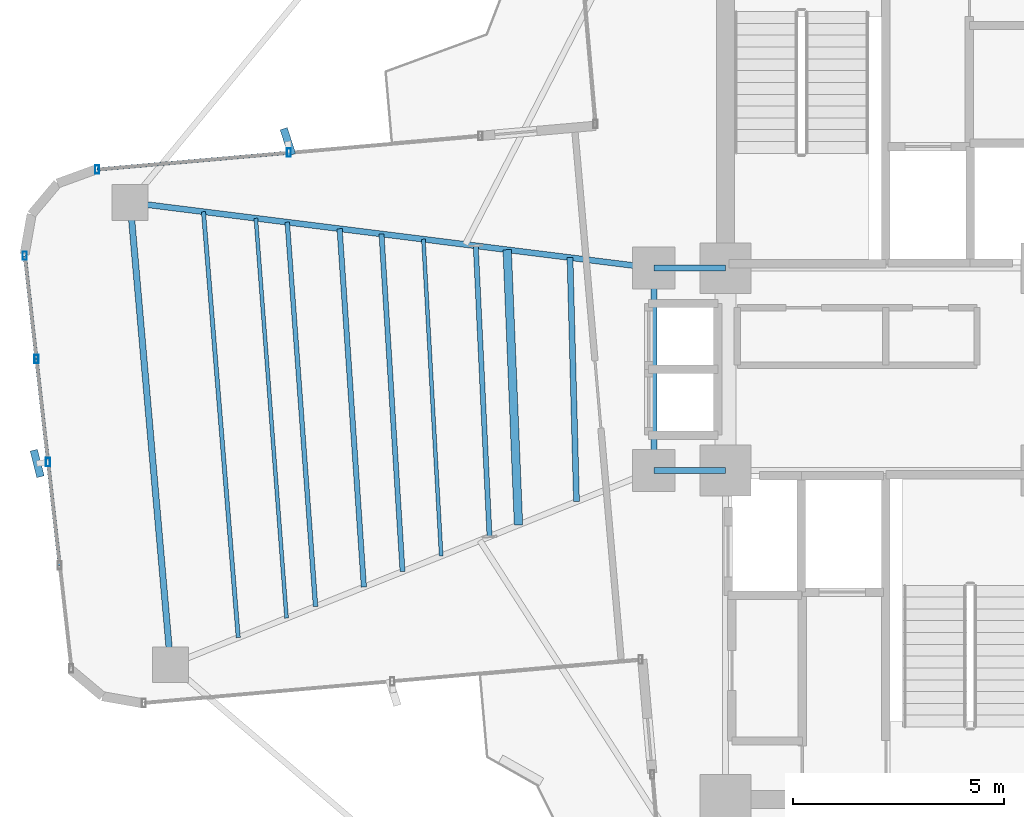
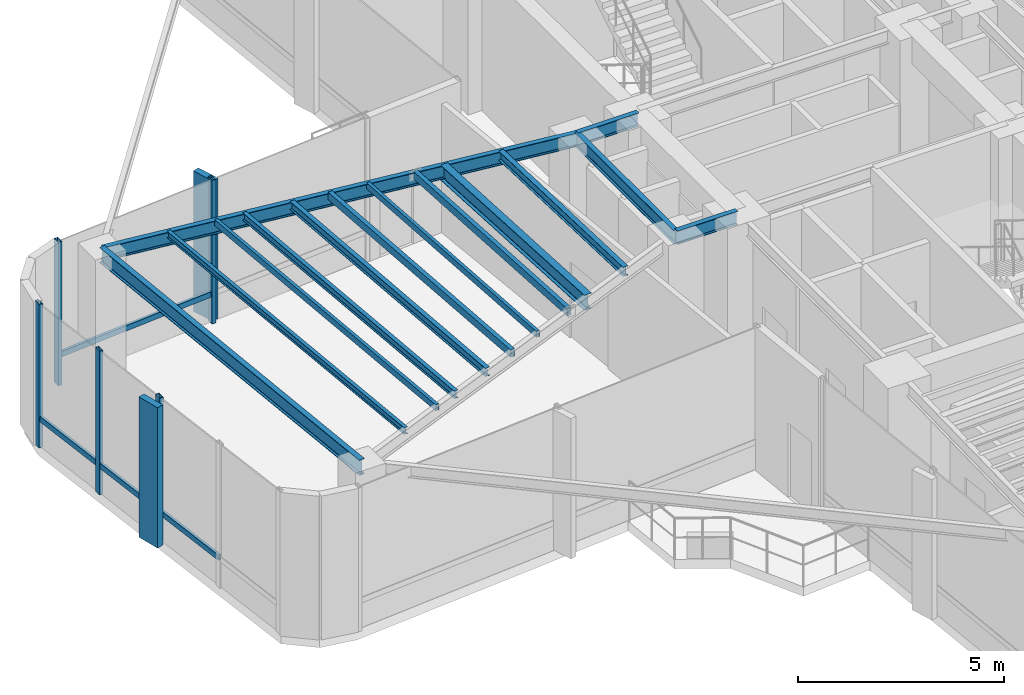
# One storey, part 4 of 19: 14 beams, 11 members, 2 elements without a shape of their own.
"""IFC4 building model written with IfcOpenShell, lengths in metres."""

from ifc_helpers import new_model, si_unit, direction, frame, origin, origin_2d, place, context, subcontext, project, spatial, rectangle, hollow_rectangle, i_section, extrude, source, transform, mapped, material, material_profile, profile_set, type_object, element, aggregate, save


model = new_model("IFC4")

# Units and contexts
model_context = context("Model", 3, precision=1e-05, world=origin(), true_north=direction((0.0, 1.0)))
body_context = subcontext(model_context, "Body", "Model", "MODEL_VIEW")
ifc_project = project(units=[si_unit("LENGTHUNIT", "METRE"), si_unit("AREAUNIT", "SQUARE_METRE"), si_unit("VOLUMEUNIT", "CUBIC_METRE"), si_unit("PLANEANGLEUNIT", "RADIAN"), si_unit("MASSUNIT", "GRAM", prefix="KILO")], contexts=[model_context])

# Site, building, storey
site_placement = place(None, origin())
site = spatial("IfcSite", under=ifc_project, at=site_placement, CompositionType="ELEMENT")
building_placement = place(site_placement, origin())
building = spatial("IfcBuilding", under=site, at=building_placement, Name="Sahyath Konkavel Grand Hotel", CompositionType="ELEMENT")
storey_placement = place(building_placement, frame((0.0, 0.0, 170.699951171875)))
storey = spatial("IfcBuildingStorey", under=building, at=storey_placement, Name="L47", CompositionType="ELEMENT", Elevation=170.699951171875)

# Beams
ifc_material_1 = material(Name="Steel E350", Category="steel")
ifc_material_profile_1 = material_profile(ifc_material_1, i_section(OverallWidth=0.139892578125, OverallDepth=0.39990234375, WebThickness=0.0087890625, FlangeThickness=0.01611328125, FilletRadius=0.013916015625, at=origin_2d()), Name="ISMB 400")
ifc_profile_set_1 = profile_set([ifc_material_profile_1], Name="Steel E350")
beam_type_1 = type_object("IfcBeamType", Name="BM-ISMB400", PredefinedType="BEAM", material=ifc_profile_set_1)
shared_shape_1 = source(origin(), body_context, "Body", "SweptSolid", [
    extrude(i_section(OverallWidth=0.139892578125, OverallDepth=0.39990234375, WebThickness=0.0087890625, FlangeThickness=0.01611328125, FilletRadius=0.013916015625, at=origin_2d()), origin(), (0.0, 0.0, 1.0), 1.699951171875),
])
for number, where, z_axis, x_axis, name in (
    (1, (-5.5, 2.39990234375, 4.06005859375), (1.0, 0.0, 0.0), (0.0, 1.0, 0.0), "str:bm:L47:HB-NW"),
    (2, (-5.5, -2.39990234375, 4.06005859375), (1.0, 0.0, 0.0), (0.0, 1.0, 0.0), "str:bm:L47:HB-SW"),
):
    element("IfcBeam", number, at=place(storey_placement, frame(where, z_axis=z_axis, x_axis=x_axis)), inside=storey, type_object=beam_type_1, Name=name, PredefinedType="BEAM", context=body_context, shape_type="MappedRepresentation", body=[
        mapped(shared_shape_1, transform((0.0, 0.0, 0.0), scale=1.0)),
    ])
shared_shape_2 = source(origin(), body_context, "Body", "SweptSolid", [
    extrude(i_section(OverallWidth=0.139892578125, OverallDepth=0.39990234375, WebThickness=0.0087890625, FlangeThickness=0.01611328125, FilletRadius=0.013916015625, at=origin_2d()), origin(), (0.0, 0.0, 1.0), 4.7998046875),
])
beam_1_placement = place(storey_placement, frame((-5.5, -2.39990234375, 4.06005859375), z_axis=(0.0, 1.0, 0.0), x_axis=(-1.0, 0.0, 0.0)))
element("IfcBeam", 3, at=beam_1_placement, inside=storey, type_object=beam_type_1, Name="str:bm:L47:HB-W", PredefinedType="BEAM", context=body_context, shape_type="MappedRepresentation", body=[
    mapped(shared_shape_2, transform((0.0, 0.0, 0.0), scale=1.0)),
])
shared_shape_3 = source(origin(), body_context, "Body", "SweptSolid", [
    extrude(i_section(OverallWidth=0.139892578125, OverallDepth=0.39990234375, WebThickness=0.0087890625, FlangeThickness=0.01611328125, FilletRadius=0.013916015625, at=origin_2d()), origin(), (0.0, 0.0, 1.0), 12.509765625),
])
beam_2_placement = place(storey_placement, frame((-5.5, 2.39990234375, 4.06005859375), z_axis=(-0.992254740459, 0.124219684578, 0.0), x_axis=(-0.124219684578, -0.992254740459, 0.0)))
element("IfcBeam", 4, at=beam_2_placement, inside=storey, type_object=beam_type_1, Name="L47 Cruciform Radial Girder WA", PredefinedType="BEAM", context=body_context, shape_type="MappedRepresentation", body=[
    mapped(shared_shape_3, transform((0.0, 0.0, 0.0), scale=1.0)),
])
ifc_material_profile_2 = material_profile(ifc_material_1, i_section(OverallWidth=0.14990234375, OverallDepth=0.449951171875, WebThickness=0.009521484375, FlangeThickness=0.017333984375, FilletRadius=0.014892578125, at=origin_2d()), Name="ISMB 450")
ifc_profile_set_2 = profile_set([ifc_material_profile_2], Name="Steel E350")
beam_type_2 = type_object("IfcBeamType", Name="BM-ISMB450", PredefinedType="BEAM", material=ifc_profile_set_2)
shared_shape_4 = source(origin(), body_context, "Body", "SweptSolid", [
    extrude(i_section(OverallWidth=0.14990234375, OverallDepth=0.449951171875, WebThickness=0.009521484375, FlangeThickness=0.017333984375, FilletRadius=0.014892578125, at=origin_2d()), origin(), (0.0, 0.0, 1.0), 11.0),
])
beam_3_placement = place(storey_placement, frame((-17.912841796875, 3.953857421875, 4.03515625), z_axis=(0.087157314015, -0.996194560622, 0.0), x_axis=(0.996194560622, 0.087157314015, 0.0)))
element("IfcBeam", 5, at=beam_3_placement, inside=storey, type_object=beam_type_2, Name="L47 Wing Tip Edge Beam W", PredefinedType="BEAM", context=body_context, shape_type="MappedRepresentation", body=[
    mapped(shared_shape_4, transform((0.0, 0.0, 0.0), scale=1.0)),
])
ifc_material_profile_3 = material_profile(ifc_material_1, i_section(OverallWidth=0.199951171875, OverallDepth=0.449951171875, WebThickness=0.00927734375, FlangeThickness=0.015380859375, FilletRadius=0.01611328125, at=origin_2d()), Name="ISWB 450")
ifc_profile_set_3 = profile_set([ifc_material_profile_3], Name="Steel E350")
beam_type_3 = type_object("IfcBeamType", Name="BM-ISWB450", PredefinedType="BEAM", material=ifc_profile_set_3)
shared_shape_5 = source(origin(), body_context, "Body", "SweptSolid", [
    extrude(i_section(OverallWidth=0.199951171875, OverallDepth=0.449951171875, WebThickness=0.00927734375, FlangeThickness=0.015380859375, FilletRadius=0.01611328125, at=origin_2d()), origin(), (0.0, 0.0, 1.0), 6.530029296875),
])
beam_4_placement = place(storey_placement, frame((-8.9755859375, 2.835205078125, 4.03515625), z_axis=(0.04112667768, -0.999153940283, 0.0), x_axis=(0.999153940283, 0.04112667768, 0.0)))
element("IfcBeam", 6, at=beam_4_placement, inside=storey, type_object=beam_type_3, Name="L47 Secondary Floor Beam W-1", PredefinedType="BEAM", context=body_context, shape_type="MappedRepresentation", body=[
    mapped(shared_shape_5, transform((0.0, 0.0, 0.0), scale=1.0)),
])
ifc_material_profile_4 = material_profile(ifc_material_1, hollow_rectangle(XDim=0.1201171875, YDim=0.219970703125, WallThickness=0.010009765625, at=origin_2d()), Name="RHS 220x120x10")
ifc_profile_set_4 = profile_set([ifc_material_profile_4], Name="Steel E350")
beam_type_4 = type_object("IfcBeamType", Name="BM-RHS220", PredefinedType="BEAM", material=ifc_profile_set_4)
shared_shape_6 = source(origin(), body_context, "Body", "SweptSolid", [
    extrude(hollow_rectangle(XDim=0.1201171875, YDim=0.219970703125, WallThickness=0.010009765625, at=origin_2d()), origin(), (0.0, 0.0, 1.0), 8.017822265625),
])
beam_5_placement = place(storey_placement, frame((-11.95458984375, 3.2080078125, 4.150146484375), z_axis=(0.062179233264, -0.998064999362, 0.0), x_axis=(0.998064999362, 0.062179233264, 0.0)))
element("IfcBeam", 7, at=beam_5_placement, inside=storey, type_object=beam_type_4, Name="L47 Secondary Floor Beam W-2", PredefinedType="BEAM", context=body_context, shape_type="MappedRepresentation", body=[
    mapped(shared_shape_6, transform((0.0, 0.0, 0.0), scale=1.0)),
])
ifc_material_profile_5 = material_profile(ifc_material_1, hollow_rectangle(XDim=0.090087890625, YDim=0.179931640625, WallThickness=0.008056640625, at=origin_2d()), Name="RHS 180x90x8")
ifc_profile_set_5 = profile_set([ifc_material_profile_5], Name="Steel E350")
beam_type_5 = type_object("IfcBeamType", Name="BM-RHS180", PredefinedType="BEAM", material=ifc_profile_set_5)
shared_shape_7 = source(origin(), body_context, "Body", "SweptSolid", [
    extrude(hollow_rectangle(XDim=0.090087890625, YDim=0.179931640625, WallThickness=0.008056640625, at=origin_2d()), origin(), (0.0, 0.0, 1.0), 9.508056640625),
])
beam_6_placement = place(storey_placement, frame((-14.93359375, 3.580810546875, 4.170166015625), z_axis=(0.076619921029, -0.997060373148, 0.0), x_axis=(0.997060373148, 0.076619921029, 0.0)))
element("IfcBeam", 8, at=beam_6_placement, inside=storey, type_object=beam_type_5, Name="L47 Secondary Floor Beam W-3", PredefinedType="BEAM", context=body_context, shape_type="MappedRepresentation", body=[
    mapped(shared_shape_7, transform((0.0, 0.0, 0.0), scale=1.0)),
])
ifc_material_profile_6 = material_profile(ifc_material_1, i_section(OverallWidth=0.139892578125, OverallDepth=0.27490234375, WebThickness=0.00634765625, FlangeThickness=0.0087890625, FilletRadius=0.012939453125, at=origin_2d()), Name="ISLB 275")
ifc_profile_set_6 = profile_set([ifc_material_profile_6], Name="Steel E350")
beam_type_6 = type_object("IfcBeamType", Name="BM-ISLB275", PredefinedType="BEAM", material=ifc_profile_set_6)
shared_shape_8 = source(origin(), body_context, "Body", "SweptSolid", [
    extrude(i_section(OverallWidth=0.139892578125, OverallDepth=0.27490234375, WebThickness=0.00634765625, FlangeThickness=0.0087890625, FilletRadius=0.012939453125, at=origin_2d()), origin(), (0.0, 0.0, 1.0), 5.787353515625),
])
beam_7_placement = place(storey_placement, frame((-7.486083984375, 2.648681640625, 4.12255859375), z_axis=(0.026491943658, -0.99964902687, 0.0), x_axis=(0.99964902687, 0.026491943658, 0.0)))
element("IfcBeam", 9, at=beam_7_placement, inside=storey, type_object=beam_type_6, Name="L47 Composite Deck Sub-Beam W-1", PredefinedType="BEAM", context=body_context, shape_type="MappedRepresentation", body=[
    mapped(shared_shape_8, transform((0.0, 0.0, 0.0), scale=1.0)),
])
shared_shape_9 = source(origin(), body_context, "Body", "SweptSolid", [
    extrude(hollow_rectangle(XDim=0.1201171875, YDim=0.219970703125, WallThickness=0.010009765625, at=origin_2d()), origin(), (0.0, 0.0, 1.0), 6.901611328125),
])
beam_8_placement = place(storey_placement, frame((-9.720458984375, 2.92822265625, 4.150146484375), z_axis=(0.047260938611, -0.998882577524, 0.0), x_axis=(0.998882577524, 0.047260938611, 0.0)))
element("IfcBeam", 10, at=beam_8_placement, inside=storey, type_object=beam_type_4, Name="L47 Composite Deck Sub-Beam W-2", PredefinedType="BEAM", context=body_context, shape_type="MappedRepresentation", body=[
    mapped(shared_shape_9, transform((0.0, 0.0, 0.0), scale=1.0)),
])
shared_shape_10 = source(origin(), body_context, "Body", "SweptSolid", [
    extrude(hollow_rectangle(XDim=0.090087890625, YDim=0.179931640625, WallThickness=0.008056640625, at=origin_2d()), origin(), (0.0, 0.0, 1.0), 7.521484375),
])
beam_9_placement = place(storey_placement, frame((-10.961669921875, 3.083740234375, 4.170166015625), z_axis=(0.056090237508, -0.998425703423, 0.0), x_axis=(0.998425703423, 0.056090237508, 0.0)))
element("IfcBeam", 11, at=beam_9_placement, inside=storey, type_object=beam_type_5, Name="L47 Composite Deck Sub-Beam W-3", PredefinedType="BEAM", context=body_context, shape_type="MappedRepresentation", body=[
    mapped(shared_shape_10, transform((0.0, 0.0, 0.0), scale=1.0)),
])
ifc_material_profile_7 = material_profile(ifc_material_1, i_section(OverallWidth=0.125, OverallDepth=0.25, WebThickness=0.0068359375, FlangeThickness=0.012451171875, FilletRadius=0.012939453125, at=origin_2d()), Name="ISMB 250")
ifc_profile_set_7 = profile_set([ifc_material_profile_7], Name="Steel E350")
beam_type_7 = type_object("IfcBeamType", Name="BM-ISMB250", PredefinedType="BEAM", material=ifc_profile_set_7)
shared_shape_11 = source(origin(), body_context, "Body", "SweptSolid", [
    extrude(i_section(OverallWidth=0.125, OverallDepth=0.25, WebThickness=0.0068359375, FlangeThickness=0.012451171875, FilletRadius=0.012939453125, at=origin_2d()), origin(), (0.0, 0.0, 1.0), 8.514404296875),
])
beam_10_placement = place(storey_placement, frame((-12.94775390625, 3.332275390625, 4.135009765625), z_axis=(0.067556190537, -0.997715471024, 0.0), x_axis=(0.997715471024, 0.067556190537, 0.0)))
element("IfcBeam", 12, at=beam_10_placement, inside=storey, type_object=beam_type_7, Name="L47 Composite Deck Sub-Beam W-4", PredefinedType="BEAM", context=body_context, shape_type="MappedRepresentation", body=[
    mapped(shared_shape_11, transform((0.0, 0.0, 0.0), scale=1.0)),
])
ifc_material_profile_8 = material_profile(ifc_material_1, i_section(OverallWidth=0.110107421875, OverallDepth=0.22509765625, WebThickness=0.006591796875, FlangeThickness=0.01171875, FilletRadius=0.011962890625, at=origin_2d()), Name="ISMB 225")
ifc_profile_set_8 = profile_set([ifc_material_profile_8], Name="Steel E350")
beam_type_8 = type_object("IfcBeamType", Name="BM-ISMB225", PredefinedType="BEAM", material=ifc_profile_set_8)
shared_shape_12 = source(origin(), body_context, "Body", "SweptSolid", [
    extrude(i_section(OverallWidth=0.110107421875, OverallDepth=0.22509765625, WebThickness=0.006591796875, FlangeThickness=0.01171875, FilletRadius=0.011962890625, at=origin_2d()), origin(), (0.0, 0.0, 1.0), 9.135498046875),
])
beam_11_placement = place(storey_placement, frame((-14.18896484375, 3.48779296875, 4.1474609375), z_axis=(0.073465127158, -0.997297786567, 0.0), x_axis=(0.997297786567, 0.073465127158, 0.0)))
element("IfcBeam", 13, at=beam_11_placement, inside=storey, type_object=beam_type_8, Name="L47 Composite Deck Sub-Beam W-5", PredefinedType="BEAM", context=body_context, shape_type="MappedRepresentation", body=[
    mapped(shared_shape_12, transform((0.0, 0.0, 0.0), scale=1.0)),
])
ifc_material_profile_9 = material_profile(ifc_material_1, i_section(OverallWidth=0.10009765625, OverallDepth=0.199951171875, WebThickness=0.005615234375, FlangeThickness=0.0107421875, FilletRadius=0.010986328125, at=origin_2d()), Name="ISMB 200")
ifc_profile_set_9 = profile_set([ifc_material_profile_9], Name="Steel E350")
beam_type_9 = type_object("IfcBeamType", Name="BM-ISMB200", PredefinedType="BEAM", material=ifc_profile_set_9)
shared_shape_13 = source(origin(), body_context, "Body", "SweptSolid", [
    extrude(i_section(OverallWidth=0.10009765625, OverallDepth=0.199951171875, WebThickness=0.005615234375, FlangeThickness=0.0107421875, FilletRadius=0.010986328125, at=origin_2d()), origin(), (0.0, 0.0, 1.0), 10.129638671875),
])
beam_12_placement = place(storey_placement, frame((-16.175048828125, 3.736328125, 4.16015625), z_axis=(0.081391815092, -0.996682182261, 0.0), x_axis=(0.996682182261, 0.081391815092, 0.0)))
element("IfcBeam", 14, at=beam_12_placement, inside=storey, type_object=beam_type_9, Name="L47 Composite Deck Sub-Beam W-6", PredefinedType="BEAM", context=body_context, shape_type="MappedRepresentation", body=[
    mapped(shared_shape_13, transform((0.0, 0.0, 0.0), scale=1.0)),
])

# Curtain wall, members
ifc_material_2 = material(Name="Anodised Bronze Aluminium & Low-E Glazing", Category="aluminium")
curtain_wall_type = type_object("IfcCurtainWallType", Name="CW-SKYLOBBY", PredefinedType="NOTDEFINED", material=ifc_material_2)
curtain_wall_1_placement = place(storey_placement, origin())
curtain_wall_1 = element("IfcCurtainWall", 15, at=curtain_wall_1_placement, inside=storey, type_object=curtain_wall_type, Name="L47 Unitised Curtain Wall F16", PredefinedType="NOTDEFINED")
ifc_material_3 = material(Name="Anodised Bronze Aluminium", Category="aluminium")
ifc_material_profile_10 = material_profile(ifc_material_3, hollow_rectangle(XDim=0.10009765625, YDim=0.199951171875, WallThickness=0.008056640625, at=origin_2d()), Name="RHS 200x100x8")
ifc_profile_set_10 = profile_set([ifc_material_profile_10], Name="Anodised Bronze Aluminium")
member_type_1 = type_object("IfcMemberType", Name="CW-MUL-200", PredefinedType="MULLION", material=ifc_profile_set_10)
shared_shape_14 = source(origin(), body_context, "Body", "SweptSolid", [
    extrude(hollow_rectangle(XDim=0.10009765625, YDim=0.199951171875, WallThickness=0.008056640625, at=origin_2d()), origin(), (0.0, 0.0, 1.0), 4.260009765625),
])
member_1_placement = place(storey_placement, frame((-14.151611328125, 5.135986328125, 0.0), z_axis=(0.0, 0.0, 1.0), x_axis=(1.0, 0.0, 0.0)))
member_1 = element("IfcMember", 16, at=member_1_placement, type_object=member_type_1, Name="L47 Curtain Wall Mullion F16-1", PredefinedType="MULLION", context=body_context, shape_type="MappedRepresentation", body=[
    mapped(shared_shape_14, transform((0.0, 0.0, 0.0), scale=1.0)),
])
member_2_placement = place(storey_placement, frame((-18.694091796875, 4.73876953125, 0.0), z_axis=(0.0, 0.0, 1.0), x_axis=(1.0, 0.0, 0.0)))
member_2 = element("IfcMember", 17, at=member_2_placement, type_object=member_type_1, Name="L47 Curtain Wall Mullion F16-2", PredefinedType="MULLION", context=body_context, shape_type="MappedRepresentation", body=[
    mapped(shared_shape_14, transform((0.0, 0.0, 0.0), scale=1.0)),
])

curtain_wall_2_placement = place(storey_placement, origin())
curtain_wall_2 = element("IfcCurtainWall", 18, at=curtain_wall_2_placement, inside=storey, type_object=curtain_wall_type, Name="L47 Unitised Curtain Wall F20", PredefinedType="NOTDEFINED")
member_3_placement = place(storey_placement, frame((-20.4111328125, 2.69140625, 0.0), z_axis=(0.0, 0.0, 1.0), x_axis=(1.0, 0.0, 0.0)))
member_3 = element("IfcMember", 19, at=member_3_placement, type_object=member_type_1, Name="L47 Curtain Wall Mullion F20-0", PredefinedType="MULLION", context=body_context, shape_type="MappedRepresentation", body=[
    mapped(shared_shape_14, transform((0.0, 0.0, 0.0), scale=1.0)),
])
member_4_placement = place(storey_placement, frame((-20.135498046875, 0.24462890625, 0.0), z_axis=(0.0, 0.0, 1.0), x_axis=(1.0, 0.0, 0.0)))
member_4 = element("IfcMember", 20, at=member_4_placement, type_object=member_type_1, Name="L47 Curtain Wall Mullion F20-1", PredefinedType="MULLION", context=body_context, shape_type="MappedRepresentation", body=[
    mapped(shared_shape_14, transform((0.0, 0.0, 0.0), scale=1.0)),
])
member_5_placement = place(storey_placement, frame((-19.859619140625, -2.201904296875, 0.0), z_axis=(0.0, 0.0, 1.0), x_axis=(1.0, 0.0, 0.0)))
member_5 = element("IfcMember", 21, at=member_5_placement, type_object=member_type_1, Name="L47 Curtain Wall Mullion F20-2", PredefinedType="MULLION", context=body_context, shape_type="MappedRepresentation", body=[
    mapped(shared_shape_14, transform((0.0, 0.0, 0.0), scale=1.0)),
])

# Member
ifc_material_4 = material(Name="Warm Buff Sandstone Cladding on Concrete C50/60", Category="masonry")
ifc_material_profile_11 = material_profile(ifc_material_4, rectangle(XDim=0.179931640625, YDim=0.64990234375, at=origin_2d()), Name="FIN 180x650")
ifc_profile_set_11 = profile_set([ifc_material_profile_11], Name="Warm Buff Sandstone Cladding on Concrete C50/60")
member_type_2 = type_object("IfcMemberType", Name="FIN-SANDSTONE-650", PredefinedType="MULLION", material=ifc_profile_set_11)
shared_shape_15 = source(origin(), body_context, "Body", "SweptSolid", [
    extrude(rectangle(XDim=0.179931640625, YDim=0.64990234375, at=origin_2d()), origin(), (0.0, 0.0, 1.0), 4.159912109375),
])
member_6_placement = place(storey_placement, frame((-14.17431640625, 5.39501953125, 0.050048828125), z_axis=(0.0, 0.0, 1.0), x_axis=(0.951808747363, 0.306692204733, 0.0)))
member_6 = element("IfcMember", 22, at=member_6_placement, type_object=member_type_2, Name="L47 Sandstone Vertical Solar Fin FIN F16-1", PredefinedType="MULLION", context=body_context, shape_type="MappedRepresentation", body=[
    mapped(shared_shape_15, transform((0.0, 0.0, 0.0), scale=1.0)),
])

member_7_placement = place(storey_placement, frame((-20.1181640625, -2.23095703125, 0.050048828125), z_axis=(0.0, 0.0, 1.0), x_axis=(0.969359662404, 0.245645771192, 0.0)))
member_7 = element("IfcMember", 23, at=member_7_placement, type_object=member_type_2, Name="L47 Sandstone Vertical Solar Fin FIN F20-2", PredefinedType="MULLION", context=body_context, shape_type="MappedRepresentation", body=[
    mapped(shared_shape_15, transform((0.0, 0.0, 0.0), scale=1.0)),
])

ifc_material_profile_12 = material_profile(ifc_material_3, hollow_rectangle(XDim=0.080078125, YDim=0.159912109375, WallThickness=0.006103515625, at=origin_2d()), Name="RHS 160x80x6")
ifc_profile_set_12 = profile_set([ifc_material_profile_12], Name="Anodised Bronze Aluminium")
member_type_3 = type_object("IfcMemberType", Name="CW-TRN-160", PredefinedType="USERDEFINED", material=ifc_profile_set_12)
shared_shape_16 = source(origin(), body_context, "Body", "SweptSolid", [
    extrude(hollow_rectangle(XDim=0.080078125, YDim=0.159912109375, WallThickness=0.006103515625, at=origin_2d()), origin(), (0.0, 0.0, 1.0), 4.559814453125),
])
member_8_placement = place(storey_placement, frame((-14.151611328125, 5.135986328125, 0.85009765625), z_axis=(-0.99619848155, -0.087112486804, 0.0), x_axis=(0.087112486804, -0.99619848155, 0.0)))
member_8 = element("IfcMember", 24, at=member_8_placement, type_object=member_type_3, Name="L47 Curtain Wall Transom F16-1-spandrel", ObjectType="TRANSOM", PredefinedType="USERDEFINED", context=body_context, shape_type="MappedRepresentation", body=[
    mapped(shared_shape_16, transform((0.0, 0.0, 0.0), scale=1.0)),
])

aggregate(curtain_wall_1, [member_1, member_6, member_2, member_8])

shared_shape_17 = source(origin(), body_context, "Body", "SweptSolid", [
    extrude(hollow_rectangle(XDim=0.080078125, YDim=0.159912109375, WallThickness=0.006103515625, at=origin_2d()), origin(), (0.0, 0.0, 1.0), 2.462158203125),
])
member_9_placement = place(storey_placement, frame((-20.4111328125, 2.69140625, 0.85009765625), z_axis=(0.11194409079, -0.993714506555, 0.0), x_axis=(0.993714506555, 0.11194409079, 0.0)))
member_9 = element("IfcMember", 25, at=member_9_placement, type_object=member_type_3, Name="L47 Curtain Wall Transom F20-0-spandrel", ObjectType="TRANSOM", PredefinedType="USERDEFINED", context=body_context, shape_type="MappedRepresentation", body=[
    mapped(shared_shape_17, transform((0.0, 0.0, 0.0), scale=1.0)),
])

member_10_placement = place(storey_placement, frame((-20.135498046875, 0.24462890625, 0.85009765625), z_axis=(0.112053040279, -0.99370222711, 0.0), x_axis=(0.99370222711, 0.112053040279, 0.0)))
member_10 = element("IfcMember", 26, at=member_10_placement, type_object=member_type_3, Name="L47 Curtain Wall Transom F20-1-spandrel", ObjectType="TRANSOM", PredefinedType="USERDEFINED", context=body_context, shape_type="MappedRepresentation", body=[
    mapped(shared_shape_17, transform((0.0, 0.0, 0.0), scale=1.0)),
])

shared_shape_18 = source(origin(), body_context, "Body", "SweptSolid", [
    extrude(hollow_rectangle(XDim=0.080078125, YDim=0.159912109375, WallThickness=0.006103515625, at=origin_2d()), origin(), (0.0, 0.0, 1.0), 2.461669921875),
])
member_11_placement = place(storey_placement, frame((-19.859619140625, -2.201904296875, 0.85009765625), z_axis=(0.111966154832, -0.993712020744, 0.0), x_axis=(0.993712020744, 0.111966154832, 0.0)))
member_11 = element("IfcMember", 27, at=member_11_placement, type_object=member_type_3, Name="L47 Curtain Wall Transom F20-2-spandrel", ObjectType="TRANSOM", PredefinedType="USERDEFINED", context=body_context, shape_type="MappedRepresentation", body=[
    mapped(shared_shape_18, transform((0.0, 0.0, 0.0), scale=1.0)),
])

aggregate(curtain_wall_2, [member_3, member_4, member_5, member_7, member_9, member_10, member_11])

save(model, "model.ifc")
